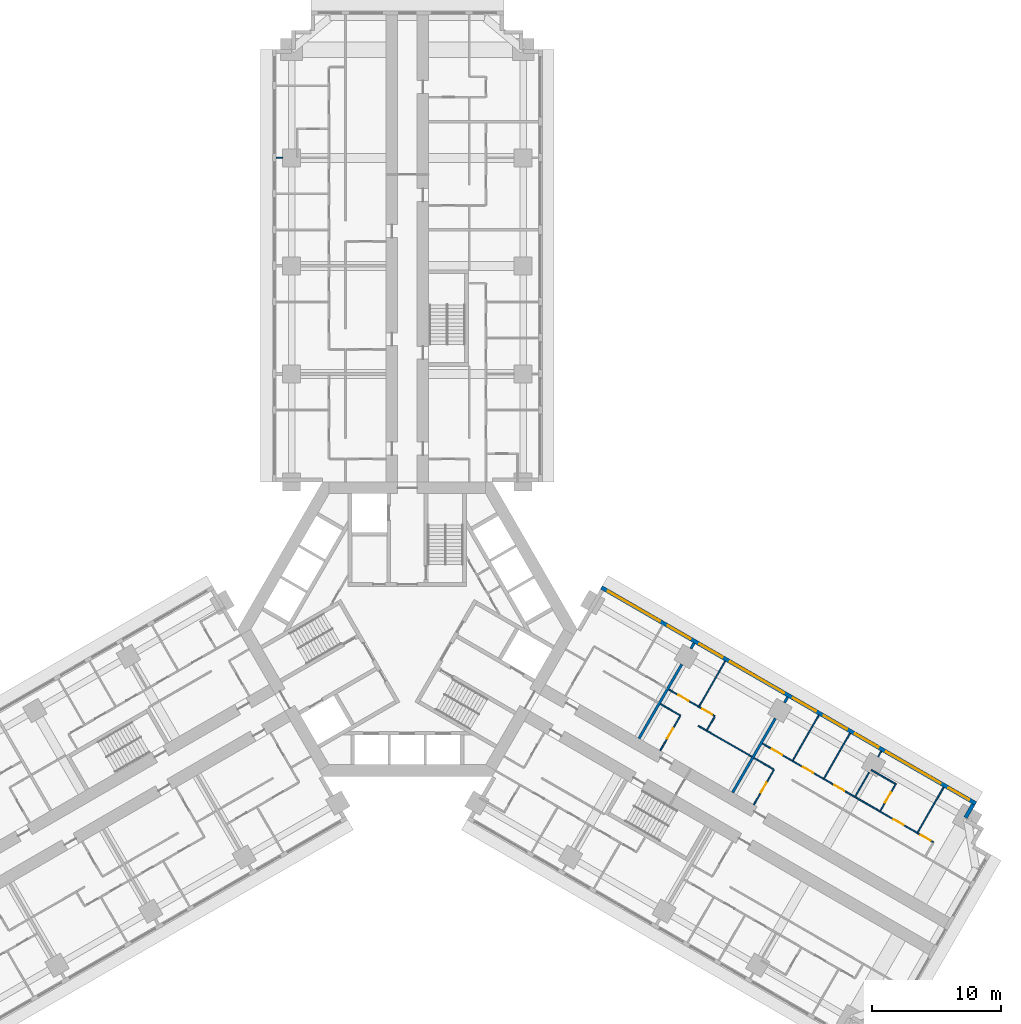
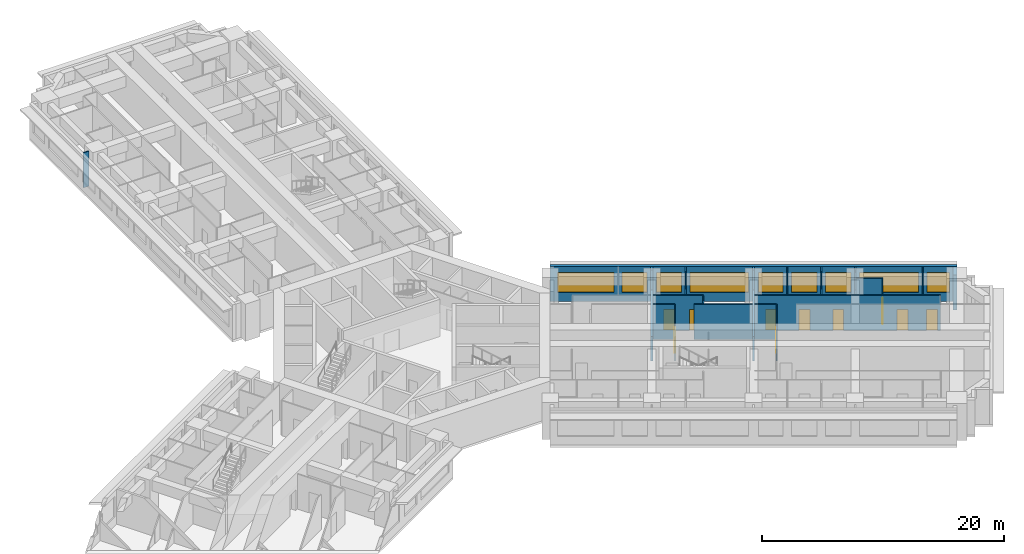
# One storey, part 12 of 15: 23 walls, 10 doors, 9 windows, 19 openings.
"""IFC4 building model written with IfcOpenShell, lengths in metres."""

from ifc_helpers import new_model, si_unit, direction, frame, frame_2d, origin, place, context, subcontext, project, spatial, rectangle, extrude, material, layer, layer_set, type_object, element, fill, save


model = new_model("IFC4")

# Units and contexts
model_context = context("Model", 3, precision=1e-05, world=origin(), true_north=direction((0.0, 1.0)))
body_context = subcontext(model_context, "Body", "Model", "MODEL_VIEW")
ifc_project = project(units=[si_unit("LENGTHUNIT", "METRE"), si_unit("AREAUNIT", "SQUARE_METRE"), si_unit("VOLUMEUNIT", "CUBIC_METRE"), si_unit("PLANEANGLEUNIT", "RADIAN"), si_unit("MASSUNIT", "GRAM", prefix="KILO")], contexts=[model_context])

# Site, building, storey
site_placement = place(None, origin())
site = spatial("IfcSite", under=ifc_project, at=site_placement, CompositionType="ELEMENT")
building_placement = place(site_placement, origin())
building = spatial("IfcBuilding", under=site, at=building_placement, Name="Impinga Residences", CompositionType="ELEMENT")
storey_placement = place(building_placement, frame((0.0, 0.0, 86.0)))
storey = spatial("IfcBuildingStorey", under=building, at=storey_placement, Name="L21", CompositionType="ELEMENT", Elevation=86.0)

# Wall, openings, windows
ifc_material_1 = material(Name="Terracotta rainscreen on blockwork", Category="masonry")
ifc_layer_1 = layer(ifc_material_1, 0.300048828125)
ifc_layer_set_1 = layer_set([ifc_layer_1], Name="EW1 external wall, terracotta rainscreen on blockwork 300")
wall_type_1 = type_object("IfcWallType", Name="EW1 external wall, terracotta rainscreen on blockwork 300", PredefinedType="SOLIDWALL", material=ifc_layer_set_1)
wall_1_placement = place(storey_placement, frame((15.074951171875, 3.24755859375, 0.0), z_axis=(0.0, 0.0, 1.0), x_axis=(0.866024291668, -0.500001926238, 0.0)))
wall_1 = element("IfcWall", 1, at=wall_1_placement, inside=storey, type_object=wall_type_1, Name="External wall EW1 L21", PredefinedType="SOLIDWALL", context=body_context, shape_type="SweptSolid", body=[
    extrude(rectangle(XDim=33.599853515625, YDim=0.300048828125, at=frame_2d((16.7998046875, 0.0))), origin(), (0.0, 0.0, 1.0), 3.530029296875),
])
opening_1_placement = place(wall_1_placement, frame((0.60009765625, 0.0, 0.89990234375)))
opening_1 = element("IfcOpeningElement", 2, at=opening_1_placement, cuts=wall_1, Name="Opening W10", PredefinedType="OPENING", context=body_context, shape_type="SweptSolid", body=[
    extrude(rectangle(XDim=4.64990234375, YDim=2.050048828125, at=frame_2d((2.324951171875, 1.02490234375))), frame((0.0, 0.159912109375, 0.0), z_axis=(0.0, -1.0, 0.0), x_axis=(1.0, 0.0, 0.0)), (0.0, 0.0, 1.0), 0.320068359375),
])
opening_2_placement = place(wall_1_placement, frame((5.949951171875, 0.0, 0.89990234375)))
opening_2 = element("IfcOpeningElement", 3, at=opening_2_placement, cuts=wall_1, Name="Opening W14", PredefinedType="OPENING", context=body_context, shape_type="SweptSolid", body=[
    extrude(rectangle(XDim=2.050048828125, YDim=2.050048828125, at=frame_2d((1.02490234375, 1.02490234375))), frame((0.0, 0.159912109375, 0.0), z_axis=(0.0, -1.0, 0.0), x_axis=(1.0, 0.0, 0.0)), (0.0, 0.0, 1.0), 0.320068359375),
])
opening_3_placement = place(wall_1_placement, frame((8.800048828125, 0.0, 0.89990234375)))
opening_3 = element("IfcOpeningElement", 4, at=opening_3_placement, cuts=wall_1, Name="Opening W14", PredefinedType="OPENING", context=body_context, shape_type="SweptSolid", body=[
    extrude(rectangle(XDim=2.050048828125, YDim=2.050048828125, at=frame_2d((1.02490234375, 1.02490234375))), frame((0.0, 0.159912109375, 0.0), z_axis=(0.0, -1.0, 0.0), x_axis=(1.0, 0.0, 0.0)), (0.0, 0.0, 1.0), 0.320068359375),
])
opening_4_placement = place(wall_1_placement, frame((11.550048828125, 0.0, 0.89990234375)))
opening_4 = element("IfcOpeningElement", 5, at=opening_4_placement, cuts=wall_1, Name="Opening W6", PredefinedType="OPENING", context=body_context, shape_type="SweptSolid", body=[
    extrude(rectangle(XDim=4.85009765625, YDim=2.050048828125, at=frame_2d((2.425048828125, 1.02490234375))), frame((0.0, 0.159912109375, 0.0), z_axis=(0.0, -1.0, 0.0), x_axis=(1.0, 0.0, 0.0)), (0.0, 0.0, 1.0), 0.320068359375),
])
opening_5_placement = place(wall_1_placement, frame((17.199951171875, 0.0, 0.89990234375)))
opening_5 = element("IfcOpeningElement", 6, at=opening_5_placement, cuts=wall_1, Name="Opening W14", PredefinedType="OPENING", context=body_context, shape_type="SweptSolid", body=[
    extrude(rectangle(XDim=2.050048828125, YDim=2.050048828125, at=frame_2d((1.02490234375, 1.02490234375))), frame((0.0, 0.159912109375, 0.0), z_axis=(0.0, -1.0, 0.0), x_axis=(1.0, 0.0, 0.0)), (0.0, 0.0, 1.0), 0.320068359375),
])
opening_6_placement = place(wall_1_placement, frame((19.949951171875, 0.0, 0.89990234375)))
opening_6 = element("IfcOpeningElement", 7, at=opening_6_placement, cuts=wall_1, Name="Opening W9", PredefinedType="OPENING", context=body_context, shape_type="SweptSolid", body=[
    extrude(rectangle(XDim=2.10009765625, YDim=2.050048828125, at=frame_2d((1.050048828125, 1.02490234375))), frame((0.0, 0.159912109375, 0.0), z_axis=(0.0, -1.0, 0.0), x_axis=(1.0, 0.0, 0.0)), (0.0, 0.0, 1.0), 0.320068359375),
])
opening_7_placement = place(wall_1_placement, frame((22.75, 0.0, 0.89990234375)))
opening_7 = element("IfcOpeningElement", 8, at=opening_7_placement, cuts=wall_1, Name="Opening W9", PredefinedType="OPENING", context=body_context, shape_type="SweptSolid", body=[
    extrude(rectangle(XDim=2.10009765625, YDim=2.050048828125, at=frame_2d((1.050048828125, 1.02490234375))), frame((0.0, 0.159912109375, 0.0), z_axis=(0.0, -1.0, 0.0), x_axis=(1.0, 0.0, 0.0)), (0.0, 0.0, 1.0), 0.320068359375),
])
opening_8_placement = place(wall_1_placement, frame((25.550048828125, 0.0, 0.89990234375)))
opening_8 = element("IfcOpeningElement", 9, at=opening_8_placement, cuts=wall_1, Name="Opening W16", PredefinedType="OPENING", context=body_context, shape_type="SweptSolid", body=[
    extrude(rectangle(XDim=4.89990234375, YDim=2.050048828125, at=frame_2d((2.449951171875, 1.02490234375))), frame((0.0, 0.159912109375, 0.0), z_axis=(0.0, -1.0, 0.0), x_axis=(1.0, 0.0, 0.0)), (0.0, 0.0, 1.0), 0.320068359375),
])
opening_9_placement = place(wall_1_placement, frame((31.14990234375, 0.0, 0.89990234375)))
opening_9 = element("IfcOpeningElement", 10, at=opening_9_placement, cuts=wall_1, Name="Opening W15", PredefinedType="OPENING", context=body_context, shape_type="SweptSolid", body=[
    extrude(rectangle(XDim=1.85009765625, YDim=2.050048828125, at=frame_2d((0.925048828125, 1.02490234375))), frame((0.0, 0.159912109375, 0.0), z_axis=(0.0, -1.0, 0.0), x_axis=(1.0, 0.0, 0.0)), (0.0, 0.0, 1.0), 0.320068359375),
])
ifc_material_2 = material(Name="Aluminium window, clear double glazing", Category="aluminium")
window_type_1 = type_object("IfcWindowType", Name="W10 ribbon window 4650x2050", PartitioningType="SINGLE_PANEL", PredefinedType="WINDOW", material=ifc_material_2)
window_1_placement = place(opening_1_placement, origin())
window_1 = element("IfcWindow", 11, at=window_1_placement, inside=storey, type_object=window_type_1, Name="Window L21", OverallHeight=2.050048828125, OverallWidth=4.64990234375, PartitioningType="SINGLE_PANEL", PredefinedType="WINDOW", context=body_context, shape_type="SweptSolid", body=[
    extrude(rectangle(XDim=4.64990234375, YDim=2.050048828125, at=frame_2d((2.324951171875, 1.02490234375))), frame((0.0, 0.030029296875, 0.0), z_axis=(0.0, -1.0, 0.0), x_axis=(1.0, 0.0, 0.0)), (0.0, 0.0, 1.0), 0.06005859375),
])
fill(opening_1, window_1)
window_type_2 = type_object("IfcWindowType", Name="W14 ribbon window 2050x2050", PartitioningType="SINGLE_PANEL", PredefinedType="WINDOW", material=ifc_material_2)
window_2_placement = place(opening_2_placement, origin())
window_2 = element("IfcWindow", 12, at=window_2_placement, inside=storey, type_object=window_type_2, Name="Window L21", OverallHeight=2.050048828125, OverallWidth=2.050048828125, PartitioningType="SINGLE_PANEL", PredefinedType="WINDOW", context=body_context, shape_type="SweptSolid", body=[
    extrude(rectangle(XDim=2.050048828125, YDim=2.050048828125, at=frame_2d((1.02490234375, 1.02490234375))), frame((0.0, 0.030029296875, 0.0), z_axis=(0.0, -1.0, 0.0), x_axis=(1.0, 0.0, 0.0)), (0.0, 0.0, 1.0), 0.06005859375),
])
fill(opening_2, window_2)
window_3_placement = place(opening_3_placement, origin())
window_3 = element("IfcWindow", 13, at=window_3_placement, inside=storey, type_object=window_type_2, Name="Window L21", OverallHeight=2.050048828125, OverallWidth=2.050048828125, PartitioningType="SINGLE_PANEL", PredefinedType="WINDOW", context=body_context, shape_type="SweptSolid", body=[
    extrude(rectangle(XDim=2.050048828125, YDim=2.050048828125, at=frame_2d((1.02490234375, 1.02490234375))), frame((0.0, 0.030029296875, 0.0), z_axis=(0.0, -1.0, 0.0), x_axis=(1.0, 0.0, 0.0)), (0.0, 0.0, 1.0), 0.06005859375),
])
fill(opening_3, window_3)
window_4_placement = place(opening_5_placement, origin())
window_4 = element("IfcWindow", 14, at=window_4_placement, inside=storey, type_object=window_type_2, Name="Window L21", OverallHeight=2.050048828125, OverallWidth=2.050048828125, PartitioningType="SINGLE_PANEL", PredefinedType="WINDOW", context=body_context, shape_type="SweptSolid", body=[
    extrude(rectangle(XDim=2.050048828125, YDim=2.050048828125, at=frame_2d((1.02490234375, 1.02490234375))), frame((0.0, 0.030029296875, 0.0), z_axis=(0.0, -1.0, 0.0), x_axis=(1.0, 0.0, 0.0)), (0.0, 0.0, 1.0), 0.06005859375),
])
fill(opening_5, window_4)
window_type_3 = type_object("IfcWindowType", Name="W15 ribbon window 1850x2050", PartitioningType="SINGLE_PANEL", PredefinedType="WINDOW", material=ifc_material_2)
window_5_placement = place(opening_9_placement, origin())
window_5 = element("IfcWindow", 15, at=window_5_placement, inside=storey, type_object=window_type_3, Name="Window L21", OverallHeight=2.050048828125, OverallWidth=1.85009765625, PartitioningType="SINGLE_PANEL", PredefinedType="WINDOW", context=body_context, shape_type="SweptSolid", body=[
    extrude(rectangle(XDim=1.85009765625, YDim=2.050048828125, at=frame_2d((0.925048828125, 1.02490234375))), frame((0.0, 0.030029296875, 0.0), z_axis=(0.0, -1.0, 0.0), x_axis=(1.0, 0.0, 0.0)), (0.0, 0.0, 1.0), 0.06005859375),
])
fill(opening_9, window_5)
window_type_4 = type_object("IfcWindowType", Name="W16 ribbon window 4900x2050", PartitioningType="SINGLE_PANEL", PredefinedType="WINDOW", material=ifc_material_2)
window_6_placement = place(opening_8_placement, origin())
window_6 = element("IfcWindow", 16, at=window_6_placement, inside=storey, type_object=window_type_4, Name="Window L21", OverallHeight=2.050048828125, OverallWidth=4.89990234375, PartitioningType="SINGLE_PANEL", PredefinedType="WINDOW", context=body_context, shape_type="SweptSolid", body=[
    extrude(rectangle(XDim=4.89990234375, YDim=2.050048828125, at=frame_2d((2.449951171875, 1.02490234375))), frame((0.0, 0.030029296875, 0.0), z_axis=(0.0, -1.0, 0.0), x_axis=(1.0, 0.0, 0.0)), (0.0, 0.0, 1.0), 0.06005859375),
])
fill(opening_8, window_6)
window_type_5 = type_object("IfcWindowType", Name="W6 ribbon window 4850x2050", PartitioningType="SINGLE_PANEL", PredefinedType="WINDOW", material=ifc_material_2)
window_7_placement = place(opening_4_placement, origin())
window_7 = element("IfcWindow", 17, at=window_7_placement, inside=storey, type_object=window_type_5, Name="Window L21", OverallHeight=2.050048828125, OverallWidth=4.85009765625, PartitioningType="SINGLE_PANEL", PredefinedType="WINDOW", context=body_context, shape_type="SweptSolid", body=[
    extrude(rectangle(XDim=4.85009765625, YDim=2.050048828125, at=frame_2d((2.425048828125, 1.02490234375))), frame((0.0, 0.030029296875, 0.0), z_axis=(0.0, -1.0, 0.0), x_axis=(1.0, 0.0, 0.0)), (0.0, 0.0, 1.0), 0.06005859375),
])
fill(opening_4, window_7)
window_type_6 = type_object("IfcWindowType", Name="W9 ribbon window 2100x2050", PartitioningType="SINGLE_PANEL", PredefinedType="WINDOW", material=ifc_material_2)
window_8_placement = place(opening_6_placement, origin())
window_8 = element("IfcWindow", 18, at=window_8_placement, inside=storey, type_object=window_type_6, Name="Window L21", OverallHeight=2.050048828125, OverallWidth=2.10009765625, PartitioningType="SINGLE_PANEL", PredefinedType="WINDOW", context=body_context, shape_type="SweptSolid", body=[
    extrude(rectangle(XDim=2.10009765625, YDim=2.050048828125, at=frame_2d((1.050048828125, 1.02490234375))), frame((0.0, 0.030029296875, 0.0), z_axis=(0.0, -1.0, 0.0), x_axis=(1.0, 0.0, 0.0)), (0.0, 0.0, 1.0), 0.06005859375),
])
fill(opening_6, window_8)
window_9_placement = place(opening_7_placement, origin())
window_9 = element("IfcWindow", 19, at=window_9_placement, inside=storey, type_object=window_type_6, Name="Window L21", OverallHeight=2.050048828125, OverallWidth=2.10009765625, PartitioningType="SINGLE_PANEL", PredefinedType="WINDOW", context=body_context, shape_type="SweptSolid", body=[
    extrude(rectangle(XDim=2.10009765625, YDim=2.050048828125, at=frame_2d((1.050048828125, 1.02490234375))), frame((0.0, 0.030029296875, 0.0), z_axis=(0.0, -1.0, 0.0), x_axis=(1.0, 0.0, 0.0)), (0.0, 0.0, 1.0), 0.06005859375),
])
fill(opening_7, window_9)

# Walls
wall_2_placement = place(storey_placement, frame((43.968505859375, -13.607421875, 0.0), z_axis=(0.0, 0.0, 1.0), x_axis=(-0.500029051137, -0.866008630453, 0.0)))
element("IfcWall", 20, at=wall_2_placement, inside=storey, type_object=wall_type_1, Name="External wall EW1 L21", PredefinedType="SOLIDWALL", context=body_context, shape_type="SweptSolid", body=[
    extrude(rectangle(XDim=1.19482421875, YDim=0.300048828125, at=frame_2d((0.597412109375, 0.0))), origin(), (0.0, 0.0, 1.0), 3.530029296875),
])
ifc_material_3 = material(Name="Gypsum board on steel studs", Category="steel")
ifc_layer_2 = layer(ifc_material_3, 0.10009765625)
ifc_layer_set_2 = layer_set([ifc_layer_2], Name="Gypsum board on steel studs")
wall_type_2 = type_object("IfcWallType", Name="IP1 partition 100", PredefinedType="PARTITIONING", material=ifc_layer_set_2)
wall_3_placement = place(storey_placement, frame((-9.699951171875, 36.631591796875, 0.0), z_axis=(0.0, 0.0, 1.0), x_axis=(-1.0, 0.0, 0.0)))
element("IfcWall", 21, at=wall_3_placement, inside=storey, type_object=wall_type_2, Name="Partition L21-NA3:OB3b", PredefinedType="PARTITIONING", context=body_context, shape_type="SweptSolid", body=[
    extrude(rectangle(XDim=0.5, YDim=0.10009765625, at=frame_2d((0.25, 0.0))), origin(), (0.0, 0.0, 1.0), 3.530029296875),
])
wall_4_placement = place(storey_placement, frame((19.6611328125, -5.808837890625, 0.0), z_axis=(0.0, 0.0, 1.0), x_axis=(0.866047807691, -0.499961193289, 0.0)))
element("IfcWall", 22, at=wall_4_placement, inside=storey, type_object=wall_type_2, Name="Partition L21-EA2:DIV0", PredefinedType="PARTITIONING", context=body_context, shape_type="SweptSolid", body=[
    extrude(rectangle(XDim=1.800048828125, YDim=0.10009765625, at=frame_2d((0.89990234375, 0.0))), origin(), (0.0, 0.0, 1.0), 3.530029296875),
])
wall_5_placement = place(storey_placement, frame((22.605712890625, -7.5087890625, 0.0), z_axis=(0.0, 0.0, 1.0), x_axis=(0.866015339567, -0.500017431331, 0.0)))
element("IfcWall", 23, at=wall_5_placement, inside=storey, type_object=wall_type_2, Name="Partition L21-EA2:DIV1", PredefinedType="PARTITIONING", context=body_context, shape_type="SweptSolid", body=[
    extrude(rectangle(XDim=4.800048828125, YDim=0.10009765625, at=frame_2d((2.39990234375, 0.0))), origin(), (0.0, 0.0, 1.0), 3.530029296875),
])

# Wall, openings, doors
wall_6_placement = place(storey_placement, frame((20.311279296875, -4.68310546875, 0.0), z_axis=(0.0, 0.0, 1.0), x_axis=(0.86602981871, -0.499992353047, 0.0)))
wall_6 = element("IfcWall", 24, at=wall_6_placement, inside=storey, type_object=wall_type_2, Name="Partition L21-EA2:STRIP", PredefinedType="PARTITIONING", context=body_context, shape_type="SweptSolid", body=[
    extrude(rectangle(XDim=4.14990234375, YDim=0.10009765625, at=frame_2d((2.074951171875, 0.0))), origin(), (0.0, 0.0, 1.0), 3.530029296875),
])
opening_10_placement = place(wall_6_placement, frame((0.875, 0.0, 0.0)))
opening_10 = element("IfcOpeningElement", 25, at=opening_10_placement, cuts=wall_6, Name="Opening D2", PredefinedType="OPENING", context=body_context, shape_type="SweptSolid", body=[
    extrude(rectangle(XDim=0.89990234375, YDim=2.10009765625, at=frame_2d((0.449951171875, 1.050048828125))), frame((0.0, 0.06005859375, 0.0), z_axis=(0.0, -1.0, 0.0), x_axis=(1.0, 0.0, 0.0)), (0.0, 0.0, 1.0), 0.1201171875),
])
opening_11_placement = place(wall_6_placement, frame((3.0, 0.0, 0.0)))
opening_11 = element("IfcOpeningElement", 26, at=opening_11_placement, cuts=wall_6, Name="Opening D2", PredefinedType="OPENING", context=body_context, shape_type="SweptSolid", body=[
    extrude(rectangle(XDim=0.89990234375, YDim=2.10009765625, at=frame_2d((0.449951171875, 1.050048828125))), frame((0.0, 0.06005859375, 0.0), z_axis=(0.0, -1.0, 0.0), x_axis=(1.0, 0.0, 0.0)), (0.0, 0.0, 1.0), 0.1201171875),
])
ifc_material_4 = material(Name="Timber door set", Category="wood")
door_type = type_object("IfcDoorType", Name="D2 internal door 900x2100", OperationType="SINGLE_SWING_LEFT", PredefinedType="DOOR", material=ifc_material_4)
door_1_placement = place(opening_10_placement, origin())
door_1 = element("IfcDoor", 27, at=door_1_placement, inside=storey, type_object=door_type, Name="Apartment L21-EA2 room door", OperationType="SINGLE_SWING_LEFT", OverallHeight=2.10009765625, OverallWidth=0.89990234375, PredefinedType="DOOR", context=body_context, shape_type="SweptSolid", body=[
    extrude(rectangle(XDim=0.89990234375, YDim=2.10009765625, at=frame_2d((0.449951171875, 1.050048828125))), frame((0.0, 0.02490234375, 0.0), z_axis=(0.0, -1.0, 0.0), x_axis=(1.0, 0.0, 0.0)), (0.0, 0.0, 1.0), 0.050048828125),
])
fill(opening_10, door_1)
door_2_placement = place(opening_11_placement, origin())
door_2 = element("IfcDoor", 28, at=door_2_placement, inside=storey, type_object=door_type, Name="Apartment L21-EA2 room door", OperationType="SINGLE_SWING_RIGHT", OverallHeight=2.10009765625, OverallWidth=0.89990234375, PredefinedType="DOOR", context=body_context, shape_type="SweptSolid", body=[
    extrude(rectangle(XDim=0.89990234375, YDim=2.10009765625, at=frame_2d((0.449951171875, 1.050048828125))), frame((0.0, 0.02490234375, 0.0), z_axis=(0.0, -1.0, 0.0), x_axis=(1.0, 0.0, 0.0)), (0.0, 0.0, 1.0), 0.050048828125),
])
fill(opening_11, door_2)

# Wall
wall_7_placement = place(storey_placement, frame((23.2802734375, -7.840576171875, 0.0), z_axis=(0.0, 0.0, 1.0), x_axis=(0.499880961361, 0.866094119867, 0.0)))
element("IfcWall", 29, at=wall_7_placement, inside=storey, type_object=wall_type_2, Name="Partition L21-EA2:SE1", PredefinedType="PARTITIONING", context=body_context, shape_type="SweptSolid", body=[
    extrude(rectangle(XDim=1.199951171875, YDim=0.10009765625, at=frame_2d((0.60009765625, 0.0))), origin(), (0.0, 0.0, 1.0), 3.530029296875),
])

# Wall, opening, door
wall_8_placement = place(storey_placement, frame((19.64501953125, -9.436767578125, 0.0), z_axis=(0.0, 0.0, 1.0), x_axis=(0.500026960575, 0.86600983753, 0.0)))
wall_8 = element("IfcWall", 30, at=wall_8_placement, inside=storey, type_object=wall_type_2, Name="Partition L21-EA2:IB1", PredefinedType="PARTITIONING", context=body_context, shape_type="SweptSolid", body=[
    extrude(rectangle(XDim=3.099853515625, YDim=0.10009765625, at=frame_2d((1.5498046875, 0.0))), origin(), (0.0, 0.0, 1.0), 3.530029296875),
])
opening_12_placement = place(wall_8_placement, frame((1.10009765625, 0.0, 0.0)))
opening_12 = element("IfcOpeningElement", 31, at=opening_12_placement, cuts=wall_8, Name="Opening D2", PredefinedType="OPENING", context=body_context, shape_type="SweptSolid", body=[
    extrude(rectangle(XDim=0.89990234375, YDim=2.10009765625, at=frame_2d((0.449951171875, 1.050048828125))), frame((0.0, 0.06005859375, 0.0), z_axis=(0.0, -1.0, 0.0), x_axis=(1.0, 0.0, 0.0)), (0.0, 0.0, 1.0), 0.1201171875),
])
door_3_placement = place(opening_12_placement, origin())
door_3 = element("IfcDoor", 32, at=door_3_placement, inside=storey, type_object=door_type, Name="Apartment L21-EA2 bathroom door", OperationType="SINGLE_SWING_LEFT", OverallHeight=2.10009765625, OverallWidth=0.89990234375, PredefinedType="DOOR", context=body_context, shape_type="SweptSolid", body=[
    extrude(rectangle(XDim=0.89990234375, YDim=2.10009765625, at=frame_2d((0.449951171875, 1.050048828125))), frame((0.0, 0.02490234375, 0.0), z_axis=(0.0, -1.0, 0.0), x_axis=(1.0, 0.0, 0.0)), (0.0, 0.0, 1.0), 0.050048828125),
])
fill(opening_12, door_3)

# Walls
wall_9_placement = place(storey_placement, frame((22.674560546875, -5.98974609375, 0.0), z_axis=(0.0, 0.0, 1.0), x_axis=(0.499990325971, 0.866030989016, 0.0)))
element("IfcWall", 33, at=wall_9_placement, inside=storey, type_object=wall_type_2, Name="Partition L21-EA2:OB1", PredefinedType="PARTITIONING", context=body_context, shape_type="SweptSolid", body=[
    extrude(rectangle(XDim=4.0498046875, YDim=0.10009765625, at=frame_2d((2.02490234375, 0.0))), origin(), (0.0, 0.0, 1.0), 3.530029296875),
])
wall_10_placement = place(storey_placement, frame((26.935791015625, -10.0087890625, 0.0), z_axis=(0.0, 0.0, 1.0), x_axis=(0.865989075817, -0.500062916607, 0.0)))
element("IfcWall", 34, at=wall_10_placement, inside=storey, type_object=wall_type_2, Name="Partition L21-EA3:DIV0", PredefinedType="PARTITIONING", context=body_context, shape_type="SweptSolid", body=[
    extrude(rectangle(XDim=1.800048828125, YDim=0.10009765625, at=frame_2d((0.89990234375, 0.0))), origin(), (0.0, 0.0, 1.0), 3.530029296875),
])

# Wall, openings, doors
wall_11_placement = place(storey_placement, frame((27.5859375, -8.883056640625, 0.0), z_axis=(0.0, 0.0, 1.0), x_axis=(0.866023490266, -0.500003314297, 0.0)))
wall_11 = element("IfcWall", 35, at=wall_11_placement, inside=storey, type_object=wall_type_2, Name="Partition L21-EA3:STRIP", PredefinedType="PARTITIONING", context=body_context, shape_type="SweptSolid", body=[
    extrude(rectangle(XDim=15.35009765625, YDim=0.10009765625, at=frame_2d((7.675048828125, 0.0))), origin(), (0.0, 0.0, 1.0), 3.530029296875),
])
opening_13_placement = place(wall_11_placement, frame((0.875, 0.0, 0.0)))
opening_13 = element("IfcOpeningElement", 36, at=opening_13_placement, cuts=wall_11, Name="Opening D2", PredefinedType="OPENING", context=body_context, shape_type="SweptSolid", body=[
    extrude(rectangle(XDim=0.89990234375, YDim=2.10009765625, at=frame_2d((0.449951171875, 1.050048828125))), frame((0.0, 0.06005859375, 0.0), z_axis=(0.0, -1.0, 0.0), x_axis=(1.0, 0.0, 0.0)), (0.0, 0.0, 1.0), 0.1201171875),
])
opening_14_placement = place(wall_11_placement, frame((3.64990234375, 0.0, 0.0)))
opening_14 = element("IfcOpeningElement", 37, at=opening_14_placement, cuts=wall_11, Name="Opening D2", PredefinedType="OPENING", context=body_context, shape_type="SweptSolid", body=[
    extrude(rectangle(XDim=0.89990234375, YDim=2.10009765625, at=frame_2d((0.449951171875, 1.050048828125))), frame((0.0, 0.06005859375, 0.0), z_axis=(0.0, -1.0, 0.0), x_axis=(1.0, 0.0, 0.0)), (0.0, 0.0, 1.0), 0.1201171875),
])
opening_15_placement = place(wall_11_placement, frame((6.449951171875, 0.0, 0.0)))
opening_15 = element("IfcOpeningElement", 38, at=opening_15_placement, cuts=wall_11, Name="Opening D2", PredefinedType="OPENING", context=body_context, shape_type="SweptSolid", body=[
    extrude(rectangle(XDim=0.89990234375, YDim=2.10009765625, at=frame_2d((0.449951171875, 1.050048828125))), frame((0.0, 0.06005859375, 0.0), z_axis=(0.0, -1.0, 0.0), x_axis=(1.0, 0.0, 0.0)), (0.0, 0.0, 1.0), 0.1201171875),
])
opening_16_placement = place(wall_11_placement, frame((11.77490234375, 0.0, 0.0)))
opening_16 = element("IfcOpeningElement", 39, at=opening_16_placement, cuts=wall_11, Name="Opening D2", PredefinedType="OPENING", context=body_context, shape_type="SweptSolid", body=[
    extrude(rectangle(XDim=0.89990234375, YDim=2.10009765625, at=frame_2d((0.449951171875, 1.050048828125))), frame((0.0, 0.06005859375, 0.0), z_axis=(0.0, -1.0, 0.0), x_axis=(1.0, 0.0, 0.0)), (0.0, 0.0, 1.0), 0.1201171875),
])
opening_17_placement = place(wall_11_placement, frame((14.199951171875, 0.0, 0.0)))
opening_17 = element("IfcOpeningElement", 40, at=opening_17_placement, cuts=wall_11, Name="Opening D2", PredefinedType="OPENING", context=body_context, shape_type="SweptSolid", body=[
    extrude(rectangle(XDim=0.89990234375, YDim=2.10009765625, at=frame_2d((0.449951171875, 1.050048828125))), frame((0.0, 0.06005859375, 0.0), z_axis=(0.0, -1.0, 0.0), x_axis=(1.0, 0.0, 0.0)), (0.0, 0.0, 1.0), 0.1201171875),
])
door_4_placement = place(opening_13_placement, origin())
door_4 = element("IfcDoor", 41, at=door_4_placement, inside=storey, type_object=door_type, Name="Apartment L21-EA3 room door", OperationType="SINGLE_SWING_LEFT", OverallHeight=2.10009765625, OverallWidth=0.89990234375, PredefinedType="DOOR", context=body_context, shape_type="SweptSolid", body=[
    extrude(rectangle(XDim=0.89990234375, YDim=2.10009765625, at=frame_2d((0.449951171875, 1.050048828125))), frame((0.0, 0.02490234375, 0.0), z_axis=(0.0, -1.0, 0.0), x_axis=(1.0, 0.0, 0.0)), (0.0, 0.0, 1.0), 0.050048828125),
])
fill(opening_13, door_4)
door_5_placement = place(opening_14_placement, origin())
door_5 = element("IfcDoor", 42, at=door_5_placement, inside=storey, type_object=door_type, Name="Apartment L21-EA3 room door", OperationType="SINGLE_SWING_LEFT", OverallHeight=2.10009765625, OverallWidth=0.89990234375, PredefinedType="DOOR", context=body_context, shape_type="SweptSolid", body=[
    extrude(rectangle(XDim=0.89990234375, YDim=2.10009765625, at=frame_2d((0.449951171875, 1.050048828125))), frame((0.0, 0.02490234375, 0.0), z_axis=(0.0, -1.0, 0.0), x_axis=(1.0, 0.0, 0.0)), (0.0, 0.0, 1.0), 0.050048828125),
])
fill(opening_14, door_5)
door_6_placement = place(opening_15_placement, origin())
door_6 = element("IfcDoor", 43, at=door_6_placement, inside=storey, type_object=door_type, Name="Apartment L21-EA3 room door", OperationType="SINGLE_SWING_LEFT", OverallHeight=2.10009765625, OverallWidth=0.89990234375, PredefinedType="DOOR", context=body_context, shape_type="SweptSolid", body=[
    extrude(rectangle(XDim=0.89990234375, YDim=2.10009765625, at=frame_2d((0.449951171875, 1.050048828125))), frame((0.0, 0.02490234375, 0.0), z_axis=(0.0, -1.0, 0.0), x_axis=(1.0, 0.0, 0.0)), (0.0, 0.0, 1.0), 0.050048828125),
])
fill(opening_15, door_6)
door_7_placement = place(opening_16_placement, origin())
door_7 = element("IfcDoor", 44, at=door_7_placement, inside=storey, type_object=door_type, Name="Apartment L21-EA3 room door", OperationType="SINGLE_SWING_RIGHT", OverallHeight=2.10009765625, OverallWidth=0.89990234375, PredefinedType="DOOR", context=body_context, shape_type="SweptSolid", body=[
    extrude(rectangle(XDim=0.89990234375, YDim=2.10009765625, at=frame_2d((0.449951171875, 1.050048828125))), frame((0.0, 0.02490234375, 0.0), z_axis=(0.0, -1.0, 0.0), x_axis=(1.0, 0.0, 0.0)), (0.0, 0.0, 1.0), 0.050048828125),
])
fill(opening_16, door_7)
door_8_placement = place(opening_17_placement, origin())
door_8 = element("IfcDoor", 45, at=door_8_placement, inside=storey, type_object=door_type, Name="Apartment L21-EA3 room door", OperationType="SINGLE_SWING_RIGHT", OverallHeight=2.10009765625, OverallWidth=0.89990234375, PredefinedType="DOOR", context=body_context, shape_type="SweptSolid", body=[
    extrude(rectangle(XDim=0.89990234375, YDim=2.10009765625, at=frame_2d((0.449951171875, 1.050048828125))), frame((0.0, 0.02490234375, 0.0), z_axis=(0.0, -1.0, 0.0), x_axis=(1.0, 0.0, 0.0)), (0.0, 0.0, 1.0), 0.050048828125),
])
fill(opening_17, door_8)

# Wall, opening, door
wall_12_placement = place(storey_placement, frame((26.919677734375, -13.63671875, 0.0), z_axis=(0.0, 0.0, 1.0), x_axis=(0.500026960575, 0.86600983753, 0.0)))
wall_12 = element("IfcWall", 46, at=wall_12_placement, inside=storey, type_object=wall_type_2, Name="Partition L21-EA3:IB1", PredefinedType="PARTITIONING", context=body_context, shape_type="SweptSolid", body=[
    extrude(rectangle(XDim=3.099853515625, YDim=0.10009765625, at=frame_2d((1.5498046875, 0.0))), origin(), (0.0, 0.0, 1.0), 3.530029296875),
])
opening_18_placement = place(wall_12_placement, frame((1.10009765625, 0.0, 0.0)))
opening_18 = element("IfcOpeningElement", 47, at=opening_18_placement, cuts=wall_12, Name="Opening D2", PredefinedType="OPENING", context=body_context, shape_type="SweptSolid", body=[
    extrude(rectangle(XDim=0.89990234375, YDim=2.10009765625, at=frame_2d((0.449951171875, 1.050048828125))), frame((0.0, 0.06005859375, 0.0), z_axis=(0.0, -1.0, 0.0), x_axis=(1.0, 0.0, 0.0)), (0.0, 0.0, 1.0), 0.1201171875),
])
door_9_placement = place(opening_18_placement, origin())
door_9 = element("IfcDoor", 48, at=door_9_placement, inside=storey, type_object=door_type, Name="Apartment L21-EA3 bathroom door", OperationType="SINGLE_SWING_LEFT", OverallHeight=2.10009765625, OverallWidth=0.89990234375, PredefinedType="DOOR", context=body_context, shape_type="SweptSolid", body=[
    extrude(rectangle(XDim=0.89990234375, YDim=2.10009765625, at=frame_2d((0.449951171875, 1.050048828125))), frame((0.0, 0.02490234375, 0.0), z_axis=(0.0, -1.0, 0.0), x_axis=(1.0, 0.0, 0.0)), (0.0, 0.0, 1.0), 0.050048828125),
])
fill(opening_18, door_9)

# Walls
for number, where, z_axis, x_axis, name in (
    (49, (29.94921875, -10.189697265625, 0.0), (0.0, 0.0, 1.0), (0.499990325971, 0.866030989016, 0.0), "Partition L21-EA3:OB1"),
    (50, (32.3740234375, -11.589599609375, 0.0), (0.0, 0.0, 1.0), (0.499990325971, 0.866030989016, 0.0), "Partition L21-EA3:OB2"),
):
    element("IfcWall", number, at=place(storey_placement, frame(where, z_axis=z_axis, x_axis=x_axis)), inside=storey, type_object=wall_type_2, Name=name, PredefinedType="PARTITIONING", context=body_context, shape_type="SweptSolid", body=[
        extrude(rectangle(XDim=4.0498046875, YDim=0.10009765625, at=frame_2d((2.02490234375, 0.0))), origin(), (0.0, 0.0, 1.0), 3.530029296875),
    ])
wall_13_placement = place(storey_placement, frame((34.798828125, -12.98974609375, 0.0), z_axis=(0.0, 0.0, 1.0), x_axis=(0.499961633463, 0.866047553582, 0.0)))
element("IfcWall", 51, at=wall_13_placement, inside=storey, type_object=wall_type_2, Name="Partition L21-EA3:OB3", PredefinedType="PARTITIONING", context=body_context, shape_type="SweptSolid", body=[
    extrude(rectangle(XDim=2.150146484375, YDim=0.10009765625, at=frame_2d((1.0751953125, 0.0))), origin(), (0.0, 0.0, 1.0), 2.47998046875),
])
wall_14_placement = place(storey_placement, frame((36.57373046875, -9.915283203125, 0.0), z_axis=(0.0, 0.0, 1.0), x_axis=(0.500131122175, 0.865949687125, 0.0)))
element("IfcWall", 52, at=wall_14_placement, inside=storey, type_object=wall_type_2, Name="Partition L21-EA3:OB3b", PredefinedType="PARTITIONING", context=body_context, shape_type="SweptSolid", body=[
    extrude(rectangle(XDim=0.499755859375, YDim=0.10009765625, at=frame_2d((0.25, 0.0))), origin(), (0.0, 0.0, 1.0), 3.530029296875),
])
wall_15_placement = place(storey_placement, frame((39.648681640625, -15.789794921875, 0.0), z_axis=(0.0, 0.0, 1.0), x_axis=(0.499964223975, 0.866046058097, 0.0)))
element("IfcWall", 53, at=wall_15_placement, inside=storey, type_object=wall_type_2, Name="Partition L21-EA3:OB4", PredefinedType="PARTITIONING", context=body_context, shape_type="SweptSolid", body=[
    extrude(rectangle(XDim=4.050048828125, YDim=0.10009765625, at=frame_2d((2.02490234375, 0.0))), origin(), (0.0, 0.0, 1.0), 3.530029296875),
])

# Wall, opening, door
wall_16_placement = place(storey_placement, frame((36.747314453125, -14.11474609375, 0.0), z_axis=(0.0, 0.0, 1.0), x_axis=(0.500018594424, 0.866014668023, 0.0)))
wall_16 = element("IfcWall", 54, at=wall_16_placement, inside=storey, type_object=wall_type_2, Name="Partition L21-EA3:EN1", PredefinedType="PARTITIONING", context=body_context, shape_type="SweptSolid", body=[
    extrude(rectangle(XDim=2.4501953125, YDim=0.10009765625, at=frame_2d((1.22509765625, 0.0))), origin(), (0.0, 0.0, 1.0), 3.530029296875),
])
opening_19_placement = place(wall_16_placement, frame((0.75, 0.0, 0.0)))
opening_19 = element("IfcOpeningElement", 55, at=opening_19_placement, cuts=wall_16, Name="Opening D2", PredefinedType="OPENING", context=body_context, shape_type="SweptSolid", body=[
    extrude(rectangle(XDim=0.89990234375, YDim=2.10009765625, at=frame_2d((0.449951171875, 1.050048828125))), frame((0.0, 0.06005859375, 0.0), z_axis=(0.0, -1.0, 0.0), x_axis=(1.0, 0.0, 0.0)), (0.0, 0.0, 1.0), 0.1201171875),
])
door_10_placement = place(opening_19_placement, origin())
door_10 = element("IfcDoor", 56, at=door_10_placement, inside=storey, type_object=door_type, Name="Apartment L21-EA3 en-suite door", OperationType="SINGLE_SWING_LEFT", OverallHeight=2.10009765625, OverallWidth=0.89990234375, PredefinedType="DOOR", context=body_context, shape_type="SweptSolid", body=[
    extrude(rectangle(XDim=0.89990234375, YDim=2.10009765625, at=frame_2d((0.449951171875, 1.050048828125))), frame((0.0, 0.02490234375, 0.0), z_axis=(0.0, -1.0, 0.0), x_axis=(1.0, 0.0, 0.0)), (0.0, 0.0, 1.0), 0.050048828125),
])
fill(opening_19, door_10)

# Walls
wall_17_placement = place(storey_placement, frame((36.042236328125, -10.936279296875, 0.0), z_axis=(0.0, 0.0, 1.0), x_axis=(0.866019166195, -0.500010803666, 0.0)))
element("IfcWall", 57, at=wall_17_placement, inside=storey, type_object=wall_type_2, Name="Partition L21-EA3:EN2", PredefinedType="PARTITIONING", context=body_context, shape_type="SweptSolid", body=[
    extrude(rectangle(XDim=2.14990234375, YDim=0.10009765625, at=frame_2d((1.074951171875, 0.0))), origin(), (0.0, 0.0, 1.0), 3.530029296875),
])
ifc_material_5 = material(Name="Concrete blockwork", Category="masonry")
ifc_layer_3 = layer(ifc_material_5, 0.199951171875)
ifc_layer_set_3 = layer_set([ifc_layer_3], Name="PW1 party wall between apartments 200")
wall_type_3 = type_object("IfcWallType", Name="PW1 party wall between apartments 200", PredefinedType="SOLIDWALL", material=ifc_layer_set_3)
wall_18_placement = place(storey_placement, frame((17.99951171875, -8.48681640625, 0.0), z_axis=(0.0, 0.0, 1.0), x_axis=(0.500024353964, 0.86601134256, 0.0)))
element("IfcWall", 58, at=wall_18_placement, inside=storey, type_object=wall_type_3, Name="Party wall between apartments L21-EA1:PARTY", PredefinedType="SOLIDWALL", context=body_context, shape_type="SweptSolid", body=[
    extrude(rectangle(XDim=6.650146484375, YDim=0.199951171875, at=frame_2d((3.3251953125, 0.0))), origin(), (0.0, 0.0, 1.0), 2.47998046875),
])
wall_19_placement = place(storey_placement, frame((22.024658203125, -1.515380859375, 0.0), z_axis=(0.0, 0.0, 1.0), x_axis=(0.499919672301, 0.866071776036, 0.0)))
element("IfcWall", 59, at=wall_19_placement, inside=storey, type_object=wall_type_3, Name="Party wall between apartments L21-EA1:PARTYb", PredefinedType="SOLIDWALL", context=body_context, shape_type="SweptSolid", body=[
    extrude(rectangle(XDim=0.5, YDim=0.199951171875, at=frame_2d((0.25, 0.0))), origin(), (0.0, 0.0, 1.0), 3.530029296875),
])
wall_20_placement = place(storey_placement, frame((25.274169921875, -12.686767578125, 0.0), z_axis=(0.0, 0.0, 1.0), x_axis=(0.49999681972, 0.866027239912, 0.0)))
element("IfcWall", 60, at=wall_20_placement, inside=storey, type_object=wall_type_3, Name="Party wall between apartments L21-EA2:PARTY", PredefinedType="SOLIDWALL", context=body_context, shape_type="SweptSolid", body=[
    extrude(rectangle(XDim=6.64990234375, YDim=0.199951171875, at=frame_2d((3.324951171875, 0.0))), origin(), (0.0, 0.0, 1.0), 2.47998046875),
])
wall_21_placement = place(storey_placement, frame((29.29931640625, -5.71533203125, 0.0), z_axis=(0.0, 0.0, 1.0), x_axis=(0.499919672301, 0.866071776036, 0.0)))
element("IfcWall", 61, at=wall_21_placement, inside=storey, type_object=wall_type_3, Name="Party wall between apartments L21-EA2:PARTYb", PredefinedType="SOLIDWALL", context=body_context, shape_type="SweptSolid", body=[
    extrude(rectangle(XDim=0.5, YDim=0.199951171875, at=frame_2d((0.25, 0.0))), origin(), (0.0, 0.0, 1.0), 3.530029296875),
])

save(model, "model.ifc")
